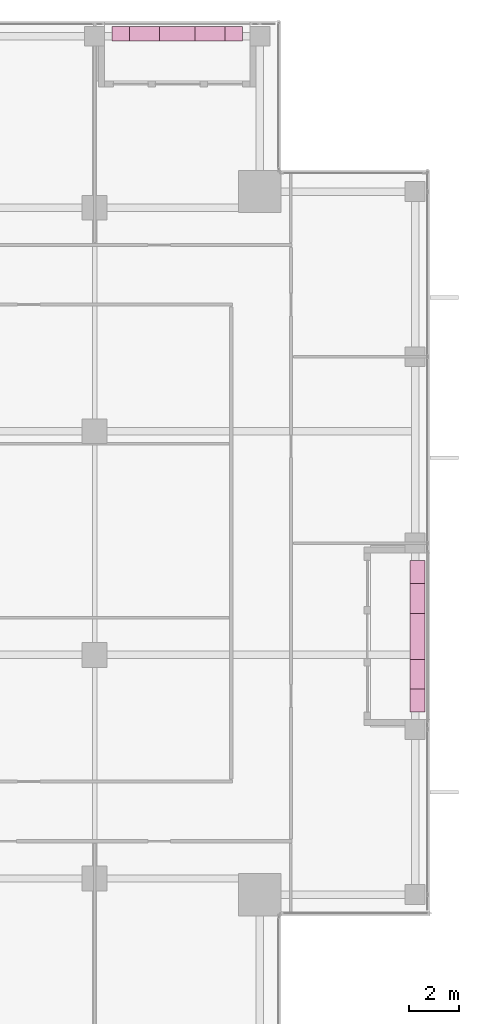
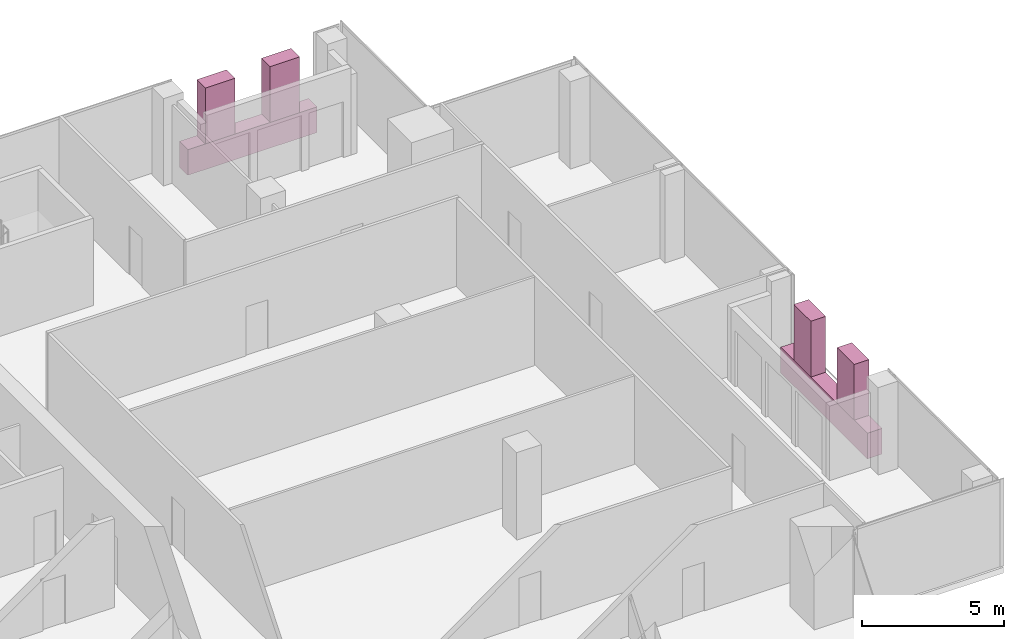
# One storey, part 29 of 29: 6 furnishings.
"""IFC4 building model written with IfcOpenShell, lengths in metres."""

from ifc_helpers import new_model, si_unit, direction, frame, origin, origin_2d, place, context, subcontext, project, spatial, rectangle, extrude, source, transform, mapped, material, type_object, element, save


model = new_model("IFC4")

# Units and contexts
model_context = context("Model", 3, precision=1e-05, world=origin(), true_north=direction((0.0, 1.0)))
body_context = subcontext(model_context, "Body", "Model", "MODEL_VIEW")
ifc_project = project(units=[si_unit("LENGTHUNIT", "METRE"), si_unit("AREAUNIT", "SQUARE_METRE"), si_unit("VOLUMEUNIT", "CUBIC_METRE"), si_unit("PLANEANGLEUNIT", "RADIAN"), si_unit("MASSUNIT", "GRAM", prefix="KILO")], contexts=[model_context])

# Site, building, storey
site_placement = place(None, origin())
site = spatial("IfcSite", under=ifc_project, at=site_placement, CompositionType="ELEMENT")
building_placement = place(site_placement, origin())
building = spatial("IfcBuilding", under=site, at=building_placement, Name="Khomas Fold Tower", CompositionType="ELEMENT")
storey_placement = place(building_placement, frame((0.0, 0.0, 286.199951171875)))
storey = spatial("IfcBuildingStorey", under=building, at=storey_placement, Name="L64", CompositionType="ELEMENT", Elevation=286.199951171875)

# Furnishings
ifc_material_1 = material(Name="Planting")
furnishing_element_type_1 = type_object("IfcFurnishingElementType", Name="BL-Tree Wild olive", material=ifc_material_1)
shared_shape_1 = source(origin(), body_context, "Body", "SweptSolid", [
    extrude(rectangle(XDim=1.199951171875, YDim=0.60009765625, at=origin_2d()), origin(), (0.0, 0.0, 1.0), 2.39501953125),
])
furnishing_1_placement = place(storey_placement, frame((36.512451171875, 47.5, 1.054931640625), z_axis=(0.0, 0.0, 1.0), x_axis=(1.0, 0.0, 0.0)))
element("IfcFurnishingElement", 1, at=furnishing_1_placement, inside=storey, type_object=furnishing_element_type_1, Name="PLANTER (TREE) Wild olive BAL-L64-N4-1", context=body_context, shape_type="MappedRepresentation", body=[
    mapped(shared_shape_1, transform((0.0, 0.0, 0.0))),
])
ifc_material_2 = material(Name="Planting")
furnishing_element_type_2 = type_object("IfcFurnishingElementType", Name="BL-Tree Shepherd's tree", material=ifc_material_2)
for number, where, z_axis, x_axis, name in (
    (2, (39.137451171875, 47.5, 1.054931640625), (0.0, 0.0, 1.0), (1.0, 0.0, 0.0), "PLANTER (TREE) Shepherd's tree BAL-L64-N4-2"),
    (3, (47.5, 21.72509765625, 1.054931640625), (0.0, 0.0, 1.0), (0.0, 1.0, 0.0), "PLANTER (TREE) Shepherd's tree BAL-L64-E2-1"),
):
    element("IfcFurnishingElement", number, at=place(storey_placement, frame(where, z_axis=z_axis, x_axis=x_axis)), inside=storey, type_object=furnishing_element_type_2, Name=name, context=body_context, shape_type="MappedRepresentation", body=[
        mapped(shared_shape_1, transform((0.0, 0.0, 0.0))),
    ])
ifc_material_3 = material(Name="Planting")
furnishing_element_type_3 = type_object("IfcFurnishingElementType", Name="BL-Tree Karee", material=ifc_material_3)
furnishing_2_placement = place(storey_placement, frame((47.5, 24.77490234375, 1.054931640625), z_axis=(0.0, 0.0, 1.0), x_axis=(0.0, 1.0, 0.0)))
element("IfcFurnishingElement", 4, at=furnishing_2_placement, inside=storey, type_object=furnishing_element_type_3, Name="PLANTER (TREE) Karee BAL-L64-E2-2", context=body_context, shape_type="MappedRepresentation", body=[
    mapped(shared_shape_1, transform((0.0, 0.0, 0.0))),
])
ifc_material_4 = material(Name="Precast concrete C40/50", Category="concrete")
furnishing_element_type_4 = type_object("IfcFurnishingElementType", Name="BL-Structural planter box", material=ifc_material_4)
shared_shape_2 = source(origin(), body_context, "Body", "SweptSolid", [
    extrude(rectangle(XDim=5.25, YDim=0.60009765625, at=origin_2d()), origin(), (0.0, 0.0, 1.0), 1.10009765625),
])
furnishing_3_placement = place(storey_placement, frame((37.824951171875, 47.5, -0.044921875), z_axis=(0.0, 0.0, 1.0), x_axis=(1.0, 0.0, 0.0)))
element("IfcFurnishingElement", 5, at=furnishing_3_placement, inside=storey, type_object=furnishing_element_type_4, Name="PLANTER BAL-L64-N4", context=body_context, shape_type="MappedRepresentation", body=[
    mapped(shared_shape_2, transform((0.0, 0.0, 0.0))),
])
shared_shape_3 = source(origin(), body_context, "Body", "SweptSolid", [
    extrude(rectangle(XDim=6.10009765625, YDim=0.60009765625, at=origin_2d()), origin(), (0.0, 0.0, 1.0), 1.10009765625),
])
furnishing_4_placement = place(storey_placement, frame((47.5, 23.25, -0.044921875), z_axis=(0.0, 0.0, 1.0), x_axis=(0.0, 1.0, 0.0)))
element("IfcFurnishingElement", 6, at=furnishing_4_placement, inside=storey, type_object=furnishing_element_type_4, Name="PLANTER BAL-L64-E2", context=body_context, shape_type="MappedRepresentation", body=[
    mapped(shared_shape_3, transform((0.0, 0.0, 0.0))),
])

save(model, "model.ifc")
